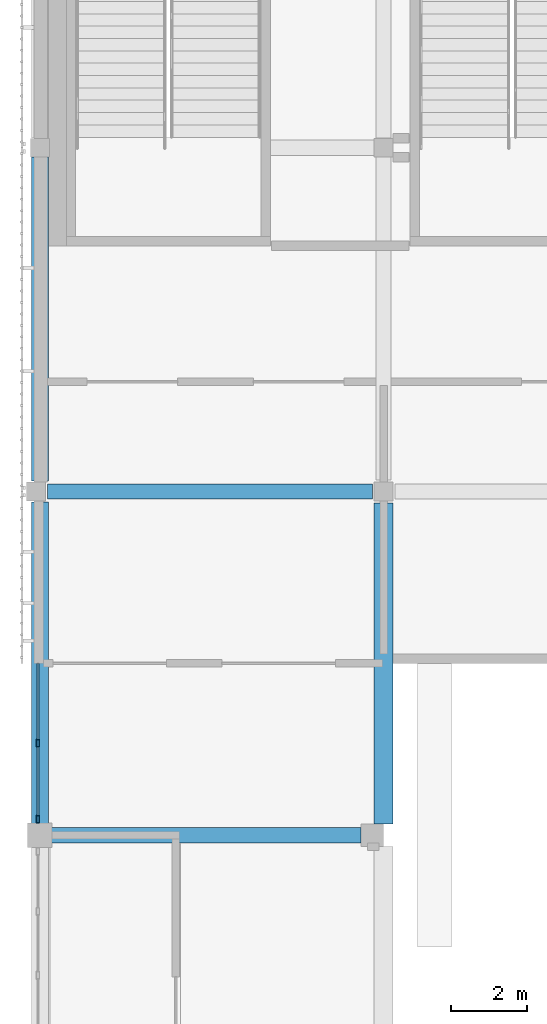
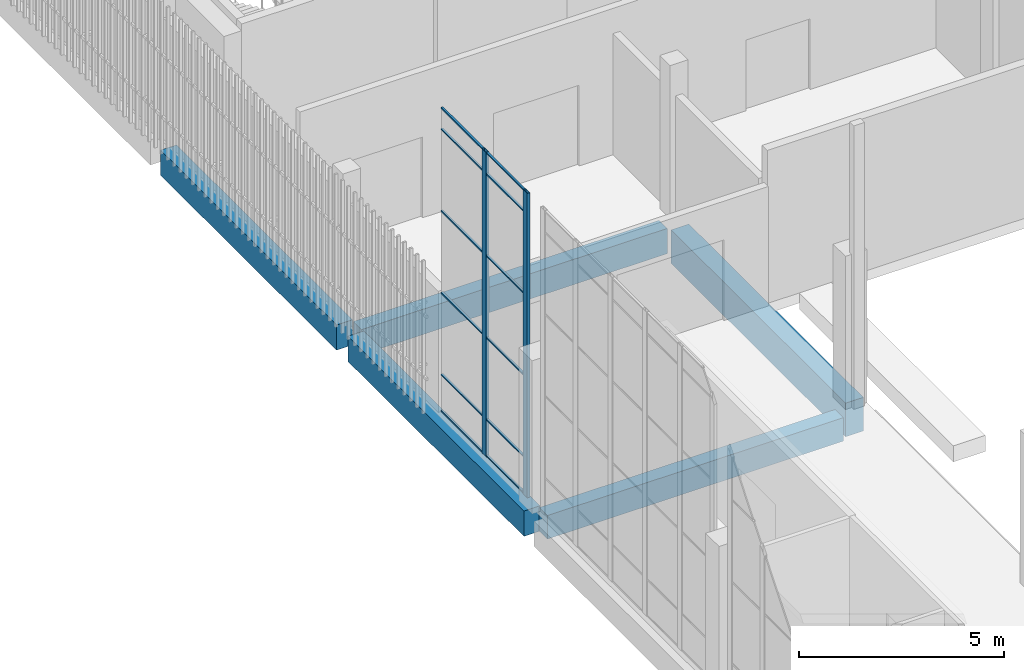
# One storey, part 16 of 91: 14 members, 5 beams, 1 element without a shape of its own.
"""IFC4 building model written with IfcOpenShell, lengths in metres."""

from ifc_helpers import new_model, si_unit, direction, frame, origin, origin_2d, place, context, subcontext, project, spatial, rectangle, hollow_rectangle, extrude, material, layer, layer_set, material_profile, profile_set, type_object, element, aggregate, save


model = new_model("IFC4")

# Units and contexts
model_context = context("Model", 3, precision=1e-05, world=origin(), true_north=direction((0.0, 1.0)))
body_context = subcontext(model_context, "Body", "Model", "MODEL_VIEW")
ifc_project = project(units=[si_unit("LENGTHUNIT", "METRE"), si_unit("AREAUNIT", "SQUARE_METRE"), si_unit("VOLUMEUNIT", "CUBIC_METRE"), si_unit("PLANEANGLEUNIT", "RADIAN"), si_unit("MASSUNIT", "GRAM", prefix="KILO")], contexts=[model_context])

# Site, building, storey
site_placement = place(None, origin())
site = spatial("IfcSite", under=ifc_project, at=site_placement, CompositionType="ELEMENT")
building_placement = place(site_placement, origin())
building = spatial("IfcBuilding", under=site, at=building_placement, Name="Shirokan Park Arena", CompositionType="ELEMENT")
storey_placement = place(building_placement, frame((0.0, 0.0, 24.570068359375)))
storey = spatial("IfcBuildingStorey", under=building, at=storey_placement, Name="L05", CompositionType="ELEMENT", Elevation=24.570068359375)

# Curtain wall, members
ifc_material_1 = material(Name="Steel and glass curtain wall", Category="steel")
ifc_layer = layer(ifc_material_1, 0.199951171875)
ifc_layer_set = layer_set([ifc_layer], Name="Steel and glass curtain wall 200 mm")
curtain_wall_type = type_object("IfcCurtainWallType", Name="Curtain wall hall bay 200", PredefinedType="NOTDEFINED", material=ifc_layer_set)
curtain_wall_placement = place(storey_placement, origin())
curtain_wall = element("IfcCurtainWall", 1, at=curtain_wall_placement, inside=storey, type_object=curtain_wall_type, Name="Curtain wall west bay 5 L05", PredefinedType="NOTDEFINED")
ifc_material_2 = material(Name="Steel S355", Category="steel")
ifc_material_profile_1 = material_profile(ifc_material_2, hollow_rectangle(XDim=0.080078125, YDim=0.199951171875, WallThickness=0.008056640625, at=origin_2d()), Name="RHS 200x80x8")
ifc_profile_set_1 = profile_set([ifc_material_profile_1], Name="Steel S355")
member_type_1 = type_object("IfcMemberType", Name="Mullion RHS 200x80x8", PredefinedType="MULLION", material=ifc_profile_set_1)
member_1_placement = place(storey_placement, frame((-0.050048828125, 66.137451171875, 0.0), z_axis=(0.0, 0.0, 1.0), x_axis=(1.0, 0.0, 0.0)))
member_1 = element("IfcMember", 2, at=member_1_placement, type_object=member_type_1, Name="CW5 mullion 2", PredefinedType="MULLION", context=body_context, shape_type="SweptSolid", body=[
    extrude(hollow_rectangle(XDim=0.080078125, YDim=0.199951171875, WallThickness=0.008056640625, at=origin_2d()), origin(), (0.0, 0.0, 1.0), 9.050048828125),
])
member_2_placement = place(storey_placement, frame((-0.050048828125, 64.125, 0.0), z_axis=(0.0, 0.0, 1.0), x_axis=(1.0, 0.0, 0.0)))
member_2 = element("IfcMember", 3, at=member_2_placement, type_object=member_type_1, Name="CW5 mullion 3", PredefinedType="MULLION", context=body_context, shape_type="SweptSolid", body=[
    extrude(hollow_rectangle(XDim=0.080078125, YDim=0.199951171875, WallThickness=0.008056640625, at=origin_2d()), origin(), (0.0, 0.0, 1.0), 9.050048828125),
])

# Beams
ifc_material_3 = material(Name="Concrete C35", Category="concrete")
ifc_material_profile_2 = material_profile(ifc_material_3, rectangle(XDim=0.39990234375, YDim=0.699951171875, at=origin_2d()), Name="400x700")
ifc_profile_set_2 = profile_set([ifc_material_profile_2], Name="Concrete C35")
beam_type_1 = type_object("IfcBeamType", Name="RC girder 400x700", PredefinedType="BEAM", material=ifc_profile_set_2)
beam_1_placement = place(storey_placement, frame((0.175048828125, 63.699951171875, -0.650146484375), z_axis=(1.0, 0.0, 0.0), x_axis=(0.0, 1.0, 0.0)))
element("IfcBeam", 4, at=beam_1_placement, inside=storey, type_object=beam_type_1, Name="Girder 1H-2H L05", PredefinedType="BEAM", context=body_context, shape_type="SweptSolid", body=[
    extrude(rectangle(XDim=0.39990234375, YDim=0.699951171875, at=origin_2d()), origin(), (0.0, 0.0, 1.0), 8.324951171875),
])
ifc_material_profile_3 = material_profile(ifc_material_3, rectangle(XDim=0.39990234375, YDim=0.75, at=origin_2d()), Name="400x750")
ifc_profile_set_3 = profile_set([ifc_material_profile_3], Name="Concrete C35")
beam_type_2 = type_object("IfcBeamType", Name="RC girder 400x750", PredefinedType="BEAM", material=ifc_profile_set_3)
beam_2_placement = place(storey_placement, frame((0.2001953125, 72.800048828125, -0.675048828125), z_axis=(1.0, 0.0, 0.0), x_axis=(0.0, 1.0, 0.0)))
element("IfcBeam", 5, at=beam_2_placement, inside=storey, type_object=beam_type_2, Name="Girder 1J-2J L05", PredefinedType="BEAM", context=body_context, shape_type="SweptSolid", body=[
    extrude(rectangle(XDim=0.39990234375, YDim=0.75, at=origin_2d()), origin(), (0.0, 0.0, 1.0), 8.599609375),
])
ifc_material_profile_4 = material_profile(ifc_material_3, rectangle(XDim=0.449951171875, YDim=0.75, at=origin_2d()), Name="450x750")
ifc_profile_set_4 = profile_set([ifc_material_profile_4], Name="Concrete C35")
beam_type_3 = type_object("IfcBeamType", Name="RC girder 450x750", PredefinedType="BEAM", material=ifc_profile_set_4)
for number, where, z_axis, x_axis, name in (
    (6, (0.0, 63.9501953125, -0.675048828125), (0.0, 1.0, 0.0), (-1.0, 0.0, 0.0), "Girder 1H-1J L05"),
    (7, (0.0, 73.0751953125, -0.675048828125), (0.0, 1.0, 0.0), (-1.0, 0.0, 0.0), "Girder 1J-1K L05"),
):
    element("IfcBeam", number, at=place(storey_placement, frame(where, z_axis=z_axis, x_axis=x_axis)), inside=storey, type_object=beam_type_3, Name=name, PredefinedType="BEAM", context=body_context, shape_type="SweptSolid", body=[
        extrude(rectangle(XDim=0.449951171875, YDim=0.75, at=origin_2d()), origin(), (0.0, 0.0, 1.0), 8.57470703125),
    ])
ifc_material_profile_5 = material_profile(ifc_material_3, rectangle(XDim=0.5, YDim=1.0, at=origin_2d()), Name="500x1000")
ifc_profile_set_5 = profile_set([ifc_material_profile_5], Name="Concrete C35")
beam_type_4 = type_object("IfcBeamType", Name="RC girder 500x1000", PredefinedType="BEAM", material=ifc_profile_set_5)
beam_3_placement = place(storey_placement, frame((9.10009765625, 64.0, -0.800048828125), z_axis=(0.0, 1.0, 0.0), x_axis=(-1.0, 0.0, 0.0)))
element("IfcBeam", 8, at=beam_3_placement, inside=storey, type_object=beam_type_4, Name="Girder 2H-2J L05", PredefinedType="BEAM", context=body_context, shape_type="SweptSolid", body=[
    extrude(rectangle(XDim=0.5, YDim=1.0, at=origin_2d()), origin(), (0.0, 0.0, 1.0), 8.5),
])

# Member
ifc_material_profile_6 = material_profile(ifc_material_2, hollow_rectangle(XDim=0.06005859375, YDim=0.0400390625, WallThickness=0.00390625, at=origin_2d()), Name="RHS 60x40x4")
ifc_profile_set_6 = profile_set([ifc_material_profile_6], Name="Steel S355")
member_type_2 = type_object("IfcMemberType", Name="Transom RHS 60x40x4", PredefinedType="MULLION", material=ifc_profile_set_6)
member_3_placement = place(storey_placement, frame((-0.050048828125, 68.25, 0.02001953125), z_axis=(0.0, -1.0, 0.0), x_axis=(1.0, 0.0, 0.0)))
member_3 = element("IfcMember", 9, at=member_3_placement, type_object=member_type_2, Name="CW5 transom 1.1", PredefinedType="MULLION", context=body_context, shape_type="SweptSolid", body=[
    extrude(hollow_rectangle(XDim=0.06005859375, YDim=0.0400390625, WallThickness=0.00390625, at=origin_2d()), origin(), (0.0, 0.0, 1.0), 2.012451171875),
])

member_4_placement = place(storey_placement, frame((-0.050048828125, 68.25, 1.099853515625), z_axis=(0.0, -1.0, 0.0), x_axis=(1.0, 0.0, 0.0)))
member_4 = element("IfcMember", 10, at=member_4_placement, type_object=member_type_2, Name="CW5 transom 1.2", PredefinedType="MULLION", context=body_context, shape_type="SweptSolid", body=[
    extrude(hollow_rectangle(XDim=0.06005859375, YDim=0.0400390625, WallThickness=0.00390625, at=origin_2d()), origin(), (0.0, 0.0, 1.0), 2.012451171875),
])

member_5_placement = place(storey_placement, frame((-0.050048828125, 68.25, 3.533203125), z_axis=(0.0, -1.0, 0.0), x_axis=(1.0, 0.0, 0.0)))
member_5 = element("IfcMember", 11, at=member_5_placement, type_object=member_type_2, Name="CW5 transom 1.3", PredefinedType="MULLION", context=body_context, shape_type="SweptSolid", body=[
    extrude(hollow_rectangle(XDim=0.06005859375, YDim=0.0400390625, WallThickness=0.00390625, at=origin_2d()), origin(), (0.0, 0.0, 1.0), 2.012451171875),
])

member_6_placement = place(storey_placement, frame((-0.050048828125, 68.25, 5.966552734375), z_axis=(0.0, -1.0, 0.0), x_axis=(1.0, 0.0, 0.0)))
member_6 = element("IfcMember", 12, at=member_6_placement, type_object=member_type_2, Name="CW5 transom 1.4", PredefinedType="MULLION", context=body_context, shape_type="SweptSolid", body=[
    extrude(hollow_rectangle(XDim=0.06005859375, YDim=0.0400390625, WallThickness=0.00390625, at=origin_2d()), origin(), (0.0, 0.0, 1.0), 2.012451171875),
])

member_7_placement = place(storey_placement, frame((-0.050048828125, 68.25, 8.39990234375), z_axis=(0.0, -1.0, 0.0), x_axis=(1.0, 0.0, 0.0)))
member_7 = element("IfcMember", 13, at=member_7_placement, type_object=member_type_2, Name="CW5 transom 1.5", PredefinedType="MULLION", context=body_context, shape_type="SweptSolid", body=[
    extrude(hollow_rectangle(XDim=0.06005859375, YDim=0.0400390625, WallThickness=0.00390625, at=origin_2d()), origin(), (0.0, 0.0, 1.0), 2.012451171875),
])

member_8_placement = place(storey_placement, frame((-0.050048828125, 68.25, 9.030029296875), z_axis=(0.0, -1.0, 0.0), x_axis=(1.0, 0.0, 0.0)))
member_8 = element("IfcMember", 14, at=member_8_placement, type_object=member_type_2, Name="CW5 transom 1.6", PredefinedType="MULLION", context=body_context, shape_type="SweptSolid", body=[
    extrude(hollow_rectangle(XDim=0.06005859375, YDim=0.0400390625, WallThickness=0.00390625, at=origin_2d()), origin(), (0.0, 0.0, 1.0), 2.012451171875),
])

member_9_placement = place(storey_placement, frame((-0.050048828125, 66.03759765625, 0.02001953125), z_axis=(0.0, -1.0, 0.0), x_axis=(1.0, 0.0, 0.0)))
member_9 = element("IfcMember", 15, at=member_9_placement, type_object=member_type_2, Name="CW5 transom 2.1", PredefinedType="MULLION", context=body_context, shape_type="SweptSolid", body=[
    extrude(hollow_rectangle(XDim=0.06005859375, YDim=0.0400390625, WallThickness=0.00390625, at=origin_2d()), origin(), (0.0, 0.0, 1.0), 1.8125),
])

member_10_placement = place(storey_placement, frame((-0.050048828125, 66.03759765625, 1.099853515625), z_axis=(0.0, -1.0, 0.0), x_axis=(1.0, 0.0, 0.0)))
member_10 = element("IfcMember", 16, at=member_10_placement, type_object=member_type_2, Name="CW5 transom 2.2", PredefinedType="MULLION", context=body_context, shape_type="SweptSolid", body=[
    extrude(hollow_rectangle(XDim=0.06005859375, YDim=0.0400390625, WallThickness=0.00390625, at=origin_2d()), origin(), (0.0, 0.0, 1.0), 1.8125),
])

member_11_placement = place(storey_placement, frame((-0.050048828125, 66.03759765625, 3.533203125), z_axis=(0.0, -1.0, 0.0), x_axis=(1.0, 0.0, 0.0)))
member_11 = element("IfcMember", 17, at=member_11_placement, type_object=member_type_2, Name="CW5 transom 2.3", PredefinedType="MULLION", context=body_context, shape_type="SweptSolid", body=[
    extrude(hollow_rectangle(XDim=0.06005859375, YDim=0.0400390625, WallThickness=0.00390625, at=origin_2d()), origin(), (0.0, 0.0, 1.0), 1.8125),
])

member_12_placement = place(storey_placement, frame((-0.050048828125, 66.03759765625, 5.966552734375), z_axis=(0.0, -1.0, 0.0), x_axis=(1.0, 0.0, 0.0)))
member_12 = element("IfcMember", 18, at=member_12_placement, type_object=member_type_2, Name="CW5 transom 2.4", PredefinedType="MULLION", context=body_context, shape_type="SweptSolid", body=[
    extrude(hollow_rectangle(XDim=0.06005859375, YDim=0.0400390625, WallThickness=0.00390625, at=origin_2d()), origin(), (0.0, 0.0, 1.0), 1.8125),
])

member_13_placement = place(storey_placement, frame((-0.050048828125, 66.03759765625, 8.39990234375), z_axis=(0.0, -1.0, 0.0), x_axis=(1.0, 0.0, 0.0)))
member_13 = element("IfcMember", 19, at=member_13_placement, type_object=member_type_2, Name="CW5 transom 2.5", PredefinedType="MULLION", context=body_context, shape_type="SweptSolid", body=[
    extrude(hollow_rectangle(XDim=0.06005859375, YDim=0.0400390625, WallThickness=0.00390625, at=origin_2d()), origin(), (0.0, 0.0, 1.0), 1.8125),
])

member_14_placement = place(storey_placement, frame((-0.050048828125, 66.03759765625, 9.030029296875), z_axis=(0.0, -1.0, 0.0), x_axis=(1.0, 0.0, 0.0)))
member_14 = element("IfcMember", 20, at=member_14_placement, type_object=member_type_2, Name="CW5 transom 2.6", PredefinedType="MULLION", context=body_context, shape_type="SweptSolid", body=[
    extrude(hollow_rectangle(XDim=0.06005859375, YDim=0.0400390625, WallThickness=0.00390625, at=origin_2d()), origin(), (0.0, 0.0, 1.0), 1.8125),
])

aggregate(curtain_wall, [member_1, member_2, member_3, member_4, member_5, member_6, member_7, member_8, member_9, member_10, member_11, member_12, member_13, member_14])

save(model, "model.ifc")
